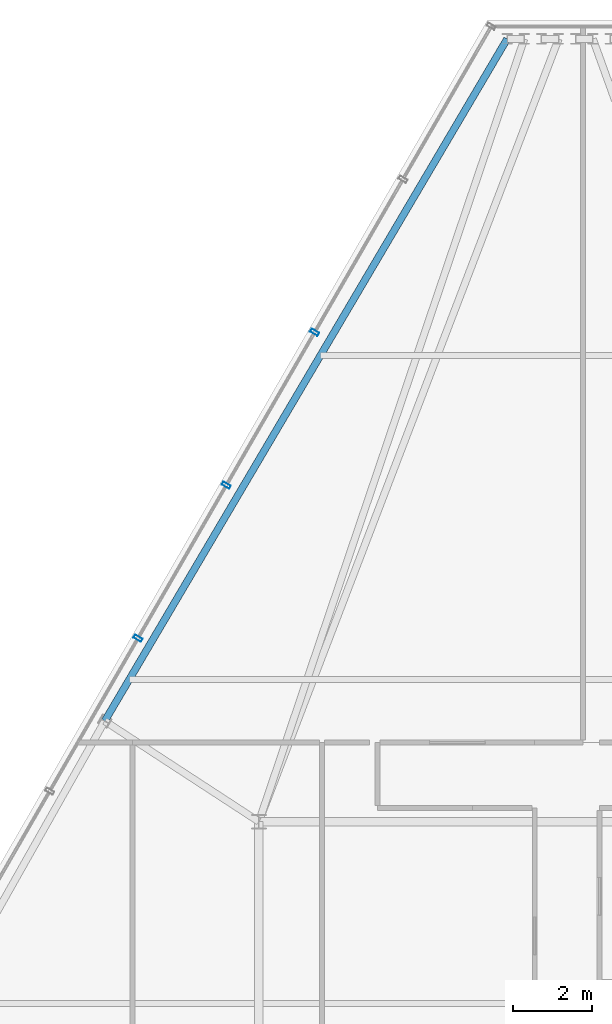
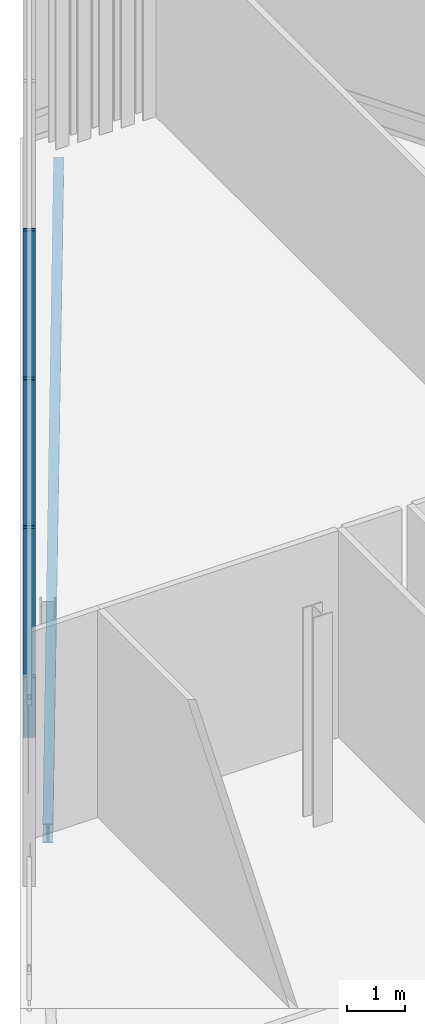
# One storey, part 11 of 25: 3 members, 1 beam, 1 element without a shape of its own.
"""IFC4 building model written with IfcOpenShell, lengths in metres."""

import ifcopenshell
import ifcopenshell.guid

model = None  # the IFC model being written
_history = None  # IfcOwnerHistory: only IFC2X3 demands one
_inside = {}  # id of a spatial element -> (the spatial element, [elements in it])
_under = {}  # id of a project, library or spatial element -> (it, [spatial elements below it])
_declared = {}  # id of a project -> (the project, [libraries it declares])
_typed = {}  # id of a type object -> (the type object, [elements of that type])
_made_of = {}  # id of a material, layer set ... -> (it, [elements and type objects made of it])


def new_model(schema):
    """Start an empty IFC model of exactly this schema.

    Asked for "IFC4X3", IfcOpenShell would pick the latest addendum, in which some entities
    have other attributes; the version numbers below select the first issue.
    IFC2X3 requires an IfcOwnerHistory on every rooted entity: one is made here for all.
    """
    global model, _history
    if schema == "IFC4X3":
        model = ifcopenshell.file(schema_version=(4, 3, 0, 0))
    else:
        model = ifcopenshell.file(schema=schema)
    _inside.clear()
    _under.clear()
    _declared.clear()
    _typed.clear()
    _made_of.clear()
    _history = None
    if model.schema == "IFC2X3":
        org = make("IfcOrganization", Name="unknown")
        user = make(
            "IfcPersonAndOrganization",
            ThePerson=make("IfcPerson", FamilyName="unknown"),
            TheOrganization=org,
        )
        app = make(
            "IfcApplication",
            ApplicationDeveloper=org,
            Version="unknown",
            ApplicationFullName="unknown",
            ApplicationIdentifier="unknown",
        )
        _history = make(
            "IfcOwnerHistory",
            OwningUser=user,
            OwningApplication=app,
            ChangeAction="ADDED",
            CreationDate=0,
        )
    return model


def make(cls, **values):
    """One entity of the class cls with the attributes given. An attribute that is None is left unset."""
    return model.create_entity(
        cls, **{name: value for name, value in values.items() if value is not None}
    )


def rooted(cls, **values):
    """An entity with a GlobalId (a new one), such as an element, a storey or a relation."""
    return make(cls, GlobalId=ifcopenshell.guid.new(), OwnerHistory=_history, **values)


def si_unit(unit_type, name, prefix=None):
    """IfcSIUnit, for example si_unit("LENGTHUNIT", "METRE", prefix="MILLI")."""
    return make("IfcSIUnit", UnitType=unit_type, Prefix=prefix, Name=name)


def assignment(units):
    """IfcUnitAssignment: the units of a project."""
    return None if units is None else make("IfcUnitAssignment", Units=units)


def point(xyz):
    """IfcCartesianPoint."""
    return None if xyz is None else make("IfcCartesianPoint", Coordinates=xyz)


def direction(xyz):
    """IfcDirection."""
    return None if xyz is None else make("IfcDirection", DirectionRatios=xyz)


def frame(location, z_axis=None, x_axis=None):
    """IfcAxis2Placement3D, a coordinate frame: its origin and axes. An axis left out is left unset."""
    return make(
        "IfcAxis2Placement3D",
        Location=point(location),
        Axis=direction(z_axis),
        RefDirection=direction(x_axis),
    )


def frame_2d(location, x_axis=None):
    """IfcAxis2Placement2D, a coordinate frame in the plane: its origin and x axis."""
    return make(
        "IfcAxis2Placement2D", Location=point(location), RefDirection=direction(x_axis)
    )


def origin():
    """The frame at (0, 0, 0) with its axes left unset."""
    return frame((0.0, 0.0, 0.0))


def origin_2d():
    """The frame at (0, 0) in the plane with its x axis left unset."""
    return frame_2d((0.0, 0.0))


def place(relative_to, where):
    """IfcLocalPlacement: puts the frame where relative to a parent placement (None: the world)."""
    return make(
        "IfcLocalPlacement", PlacementRelTo=relative_to, RelativePlacement=where
    )


def context(
    kind, dimensions, precision=None, world=None, true_north=None, identifier=None
):
    """IfcGeometricRepresentationContext, for example the 3D "Model" context."""
    return make(
        "IfcGeometricRepresentationContext",
        ContextIdentifier=identifier,
        ContextType=kind,
        CoordinateSpaceDimension=dimensions,
        Precision=precision,
        WorldCoordinateSystem=world,
        TrueNorth=true_north,
    )


def subcontext(parent, identifier, kind, view, scale=None):
    """IfcGeometricRepresentationSubContext, for example "Body" below "Model"."""
    return make(
        "IfcGeometricRepresentationSubContext",
        ContextIdentifier=identifier,
        ContextType=kind,
        ParentContext=parent,
        TargetScale=scale,
        TargetView=view,
    )


def project(units=None, contexts=None):
    """IfcProject with its units and contexts."""
    return rooted(
        "IfcProject",
        Name="project",
        RepresentationContexts=contexts,
        UnitsInContext=assignment(units),
    )


def spatial(cls, under=None, at=None, **own):
    """A site, building, storey or space (cls), placed at a placement, below another one or the project."""
    s = rooted(cls, ObjectPlacement=at, **own)
    if under is not None:
        _under.setdefault(under.id(), (under, []))[1].append(s)
    return s


def profile(cls, at=None, kind="AREA", **sizes):
    """A parametric profile (cls). Its sizes go by their IFC names, for example OverallWidth=200.0."""
    return make(cls, ProfileType=kind, Position=at, **sizes)


def hollow_rectangle(**sizes):
    """IfcRectangleHollowProfileDef."""
    return profile("IfcRectangleHollowProfileDef", **sizes)


def i_section(**sizes):
    """IfcIShapeProfileDef."""
    return profile("IfcIShapeProfileDef", **sizes)


def extrude(swept, where, along, depth):
    """IfcExtrudedAreaSolid: the profile swept, set in the frame where, extruded along a direction by depth."""
    return make(
        "IfcExtrudedAreaSolid",
        SweptArea=swept,
        Position=where,
        ExtrudedDirection=direction(along),
        Depth=depth,
    )


def shape(context_of_items, identifier, shape_type, items):
    """IfcShapeRepresentation: the items that make up one representation, for example the "Body"."""
    return make(
        "IfcShapeRepresentation",
        ContextOfItems=context_of_items,
        RepresentationIdentifier=identifier,
        RepresentationType=shape_type,
        Items=items,
    )


def material(Name=None, Category=None):
    """IfcMaterial."""
    return make("IfcMaterial", Name=Name, Category=Category)


def layer(
    of_material, thickness, ventilated=None, Name=None, Category=None, Priority=None
):
    """IfcMaterialLayer: one layer of a wall or slab, of a material (None: an air gap)."""
    return make(
        "IfcMaterialLayer",
        Material=of_material,
        LayerThickness=thickness,
        IsVentilated=ventilated,
        Name=Name,
        Category=Category,
        Priority=Priority,
    )


def layer_set(layers, Name=None):
    """IfcMaterialLayerSet."""
    return make("IfcMaterialLayerSet", MaterialLayers=layers, LayerSetName=Name)


def material_profile(
    of_material, cross_section, Name=None, Category=None, Priority=None
):
    """IfcMaterialProfile: a cross section and its material."""
    return make(
        "IfcMaterialProfile",
        Name=Name,
        Material=of_material,
        Profile=cross_section,
        Priority=Priority,
        Category=Category,
    )


def profile_set(profiles, Name=None, composite=None):
    """IfcMaterialProfileSet."""
    return make(
        "IfcMaterialProfileSet",
        Name=Name,
        MaterialProfiles=profiles,
        CompositeProfile=composite,
    )


def made_of(thing, what):
    """Note that an element or type object is made of a material, layer set ...; save() writes the relation."""
    if what is not None:
        _made_of.setdefault(what.id(), (what, []))[1].append(thing)
    return thing


def type_object(cls, material=None, **own):
    """A type object (cls), such as IfcWallType, which elements share."""
    return made_of(rooted(cls, **own), material)


def element(
    cls,
    number,
    at=None,
    inside=None,
    cuts=None,
    type_object=None,
    material=None,
    context=None,
    identifier="Body",
    shape_type=None,
    held_by="IfcProductDefinitionShape",
    body=None,
    shapes=None,
    **own,
):
    """One element of the class cls, such as IfcWall. Its Tag is "e" and its number.

    at: its placement. inside: the storey or other place that contains it. cuts: it is an
    opening in that element (IfcRelVoidsElement). A single representation is given by context,
    identifier, shape_type and body (its items); several are given by shapes. held_by: the class
    of the entity that holds the representations. save() writes the other relations.
    """
    e = rooted(cls, Tag="e%d" % number, ObjectPlacement=at, **own)
    if body is not None:
        shapes = [shape(context, identifier, shape_type, body)]
    if shapes is not None:
        e.Representation = make(held_by, Representations=shapes)
    if inside is not None:
        _inside.setdefault(inside.id(), (inside, []))[1].append(e)
    if cuts is not None:
        rooted(
            "IfcRelVoidsElement", RelatingBuildingElement=cuts, RelatedOpeningElement=e
        )
    if type_object is not None:
        _typed.setdefault(type_object.id(), (type_object, []))[1].append(e)
    return made_of(e, material)


def aggregate(whole, parts):
    """IfcRelAggregates: a whole, such as a stair, and the parts it consists of."""
    return rooted("IfcRelAggregates", RelatingObject=whole, RelatedObjects=parts)


def save(model, path):
    """Write the relations noted so far, then the file.

    IfcRelAggregates (storeys below a building ...), IfcRelContainedInSpatialStructure (elements
    in a storey), IfcRelDefinesByType, IfcRelAssociatesMaterial and IfcRelDeclares: one each for
    every whole, place, type object, material and project.
    """
    for whole, parts in _under.values():
        aggregate(whole, parts)
    for where, things in _inside.values():
        rooted(
            "IfcRelContainedInSpatialStructure",
            RelatedElements=things,
            RelatingStructure=where,
        )
    for kind, things in _typed.values():
        rooted("IfcRelDefinesByType", RelatedObjects=things, RelatingType=kind)
    for what, things in _made_of.values():
        rooted("IfcRelAssociatesMaterial", RelatedObjects=things, RelatingMaterial=what)
    for by, libraries in _declared.values():
        rooted("IfcRelDeclares", RelatingContext=by, RelatedDefinitions=libraries)
    model.write(path)


model = new_model("IFC4")

# Units and contexts
model_context = context("Model", 3, precision=1e-05, world=origin(), true_north=direction((0.0, 1.0)))
body_context = subcontext(model_context, "Body", "Model", "MODEL_VIEW")
ifc_project = project(units=[si_unit("LENGTHUNIT", "METRE"), si_unit("AREAUNIT", "SQUARE_METRE"), si_unit("VOLUMEUNIT", "CUBIC_METRE"), si_unit("PLANEANGLEUNIT", "RADIAN"), si_unit("MASSUNIT", "GRAM", prefix="KILO")], contexts=[model_context])

# Site, building, storey
site_placement = place(None, origin())
site = spatial("IfcSite", under=ifc_project, at=site_placement, CompositionType="ELEMENT")
building_placement = place(site_placement, origin())
building = spatial("IfcBuilding", under=site, at=building_placement, Name="Ndaravel Arena Tower", CompositionType="ELEMENT")
storey_placement = place(building_placement, frame((0.0, 0.0, 303.300048828125)))
storey = spatial("IfcBuildingStorey", under=building, at=storey_placement, Name="L74", CompositionType="ELEMENT", Elevation=303.300048828125)

# Beam
ifc_material_1 = material(Name="Steel S355", Category="steel")
ifc_material_profile_1 = material_profile(ifc_material_1, i_section(OverallWidth=0.179931640625, OverallDepth=0.39990234375, WebThickness=0.008544921875, FlangeThickness=0.013427734375, FilletRadius=0.02099609375, at=origin_2d()), Name="IPE 400")
ifc_profile_set_1 = profile_set([ifc_material_profile_1], Name="Steel S355")
beam_type = type_object("IfcBeamType", Name="BM-SPAN-IPE400", PredefinedType="SPANDREL", material=ifc_profile_set_1)
beam_placement = place(storey_placement, frame((40.481689453125, 43.00537109375, -0.47998046875), z_axis=(-0.508092559304, -0.861302473687, 0.0), x_axis=(0.861302473687, -0.508092559304, 0.0)))
element("IfcBeam", 1, at=beam_placement, inside=storey, type_object=beam_type, Name="L74 Perimeter Spandrel Beam SP-18", PredefinedType="SPANDREL", context=body_context, shape_type="SweptSolid", body=[
    extrude(i_section(OverallWidth=0.179931640625, OverallDepth=0.39990234375, WebThickness=0.008544921875, FlangeThickness=0.013427734375, FilletRadius=0.02099609375, at=origin_2d()), origin(), (0.0, 0.0, 1.0), 20.03955078125),
])

# Curtain wall, members
ifc_material_2 = material(Name="Aluminium", Category="aluminium")
ifc_layer = layer(ifc_material_2, 0.179931640625)
ifc_layer_set = layer_set([ifc_layer], Name="Aluminium")
curtain_wall_type = type_object("IfcCurtainWallType", Name="CW-SYS-04", PredefinedType="NOTDEFINED", material=ifc_layer_set)
curtain_wall_placement = place(storey_placement, origin())
curtain_wall = element("IfcCurtainWall", 2, at=curtain_wall_placement, inside=storey, type_object=curtain_wall_type, Name="L74 Faceted Crystal Curtain Wall CW-L74-E05", PredefinedType="NOTDEFINED")
ifc_material_3 = material(Name="Aluminium", Category="aluminium")
ifc_material_profile_2 = material_profile(ifc_material_3, hollow_rectangle(XDim=0.090087890625, YDim=0.219970703125, WallThickness=0.0048828125, at=origin_2d()), Name="CW MULLION 90x220x5")
ifc_profile_set_2 = profile_set([ifc_material_profile_2], Name="Aluminium")
member_type = type_object("IfcMemberType", Name="MEM-CW-MUL220", PredefinedType="MULLION", material=ifc_profile_set_2)
member_1_placement = place(storey_placement, frame((35.610107421875, 35.5830078125, 0.0), z_axis=(0.0, 0.0, 1.0), x_axis=(-0.5, -0.866025403784, 0.0)))
member_1 = element("IfcMember", 3, at=member_1_placement, type_object=member_type, Name="CW-L74-E05 Mullion 02", PredefinedType="MULLION", context=body_context, shape_type="SweptSolid", body=[
    extrude(hollow_rectangle(XDim=0.090087890625, YDim=0.219970703125, WallThickness=0.0048828125, at=origin_2d()), origin(), (0.0, 0.0, 1.0), 4.39990234375),
])
member_2_placement = place(storey_placement, frame((33.375244140625, 31.7119140625, 0.0), z_axis=(0.0, 0.0, 1.0), x_axis=(-0.5, -0.866025403784, 0.0)))
member_2 = element("IfcMember", 4, at=member_2_placement, type_object=member_type, Name="CW-L74-E05 Mullion 03", PredefinedType="MULLION", context=body_context, shape_type="SweptSolid", body=[
    extrude(hollow_rectangle(XDim=0.090087890625, YDim=0.219970703125, WallThickness=0.0048828125, at=origin_2d()), origin(), (0.0, 0.0, 1.0), 4.39990234375),
])
member_3_placement = place(storey_placement, frame((31.14013671875, 27.8408203125, 0.0), z_axis=(0.0, 0.0, 1.0), x_axis=(-0.5, -0.866025403784, 0.0)))
member_3 = element("IfcMember", 5, at=member_3_placement, type_object=member_type, Name="CW-L74-E05 Mullion 04", PredefinedType="MULLION", context=body_context, shape_type="SweptSolid", body=[
    extrude(hollow_rectangle(XDim=0.090087890625, YDim=0.219970703125, WallThickness=0.0048828125, at=origin_2d()), origin(), (0.0, 0.0, 1.0), 4.39990234375),
])
aggregate(curtain_wall, [member_1, member_2, member_3])

save(model, "model.ifc")
